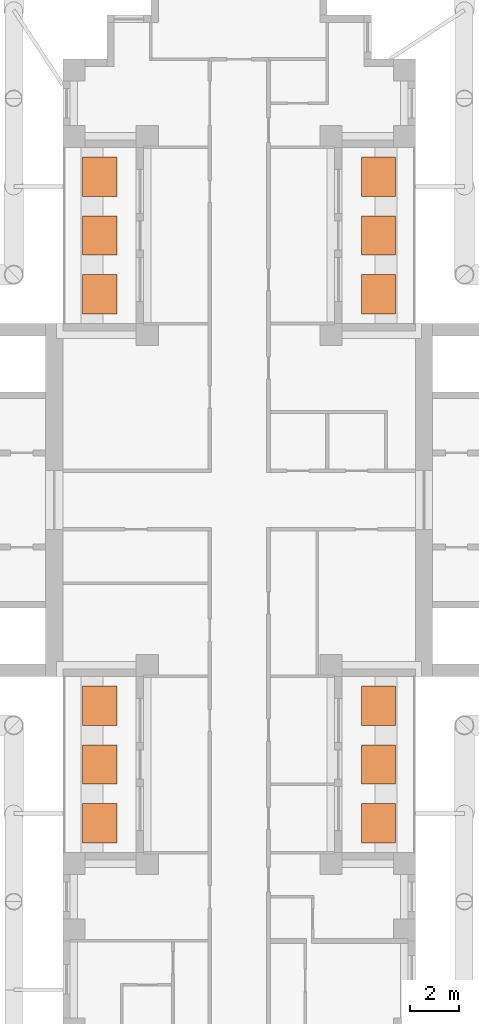
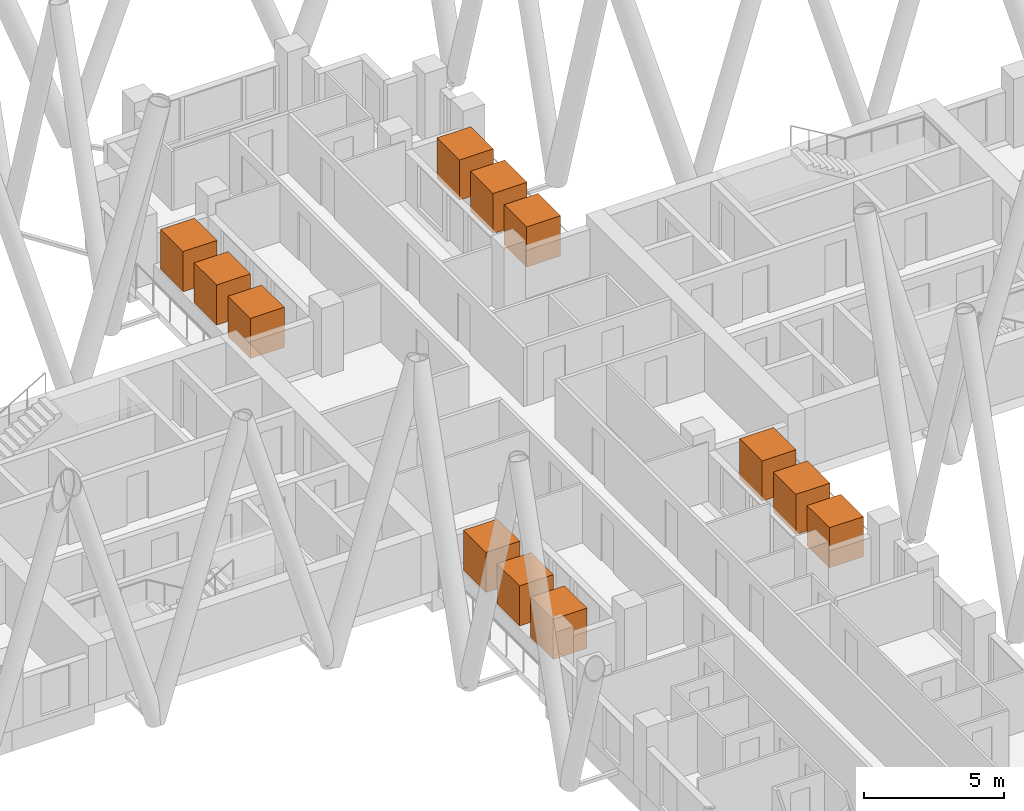
# One storey, part 14 of 14: 12 geographic elements.
"""IFC4 building model written with IfcOpenShell, lengths in metres."""

from ifc_helpers import new_model, si_unit, direction, frame, origin, origin_2d, place, context, subcontext, project, spatial, rectangle, extrude, material, element, save


model = new_model("IFC4")

# Units and contexts
model_context = context("Model", 3, precision=1e-05, world=origin(), true_north=direction((0.0, 1.0)))
body_context = subcontext(model_context, "Body", "Model", "MODEL_VIEW")
ifc_project = project(units=[si_unit("LENGTHUNIT", "METRE"), si_unit("AREAUNIT", "SQUARE_METRE"), si_unit("VOLUMEUNIT", "CUBIC_METRE"), si_unit("PLANEANGLEUNIT", "RADIAN"), si_unit("MASSUNIT", "GRAM", prefix="KILO")], contexts=[model_context])

# Site, building, storey
site_placement = place(None, origin())
site = spatial("IfcSite", under=ifc_project, at=site_placement, CompositionType="ELEMENT")
building_placement = place(site_placement, origin())
building = spatial("IfcBuilding", under=site, at=building_placement, Name="Fustian Cross Tower", CompositionType="ELEMENT")
storey_placement = place(building_placement, frame((0.0, 0.0, 90.89990234375)))
storey = spatial("IfcBuildingStorey", under=building, at=storey_placement, Name="L28", CompositionType="ELEMENT", Elevation=90.89990234375)

# Geographic elements
ifc_material = material(Name="Evergreen foliage")
for number, where, z_axis, x_axis, name in (
    (1, (5.68994140625, 8.39990234375, 0.800048828125), (0.0, 0.0, 1.0), (1.0, 0.0, 0.0), "TREE field maple"),
    (2, (5.68994140625, 10.800048828125, 0.800048828125), (0.0, 0.0, 1.0), (1.0, 0.0, 0.0), "TREE field maple"),
    (3, (5.68994140625, 13.199951171875, 0.800048828125), (0.0, 0.0, 1.0), (1.0, 0.0, 0.0), "TREE field maple"),
    (4, (-5.68994140625, 8.39990234375, 0.800048828125), (0.0, 0.0, 1.0), (1.0, 0.0, 0.0), "TREE field maple"),
    (5, (-5.68994140625, 10.800048828125, 0.800048828125), (0.0, 0.0, 1.0), (1.0, 0.0, 0.0), "TREE field maple"),
    (6, (-5.68994140625, 13.199951171875, 0.800048828125), (0.0, 0.0, 1.0), (1.0, 0.0, 0.0), "TREE field maple"),
    (7, (5.68994140625, -13.199951171875, 0.800048828125), (0.0, 0.0, 1.0), (1.0, 0.0, 0.0), "TREE field maple"),
    (8, (5.68994140625, -10.800048828125, 0.800048828125), (0.0, 0.0, 1.0), (1.0, 0.0, 0.0), "TREE field maple"),
    (9, (5.68994140625, -8.39990234375, 0.800048828125), (0.0, 0.0, 1.0), (1.0, 0.0, 0.0), "TREE field maple"),
    (10, (-5.68994140625, -13.199951171875, 0.800048828125), (0.0, 0.0, 1.0), (1.0, 0.0, 0.0), "TREE field maple"),
    (11, (-5.68994140625, -10.800048828125, 0.800048828125), (0.0, 0.0, 1.0), (1.0, 0.0, 0.0), "TREE field maple"),
    (12, (-5.68994140625, -8.39990234375, 0.800048828125), (0.0, 0.0, 1.0), (1.0, 0.0, 0.0), "TREE field maple"),
):
    element("IfcGeographicElement", number, at=place(storey_placement, frame(where, z_axis=z_axis, x_axis=x_axis)), inside=storey, material=ifc_material, Name=name, ObjectType="VEGETATION", PredefinedType="USERDEFINED", context=body_context, shape_type="SweptSolid", body=[
        extrude(rectangle(XDim=1.39990234375, YDim=1.60009765625, at=origin_2d()), origin(), (0.0, 0.0, 1.0), 1.75),
    ])

save(model, "model.ifc")
